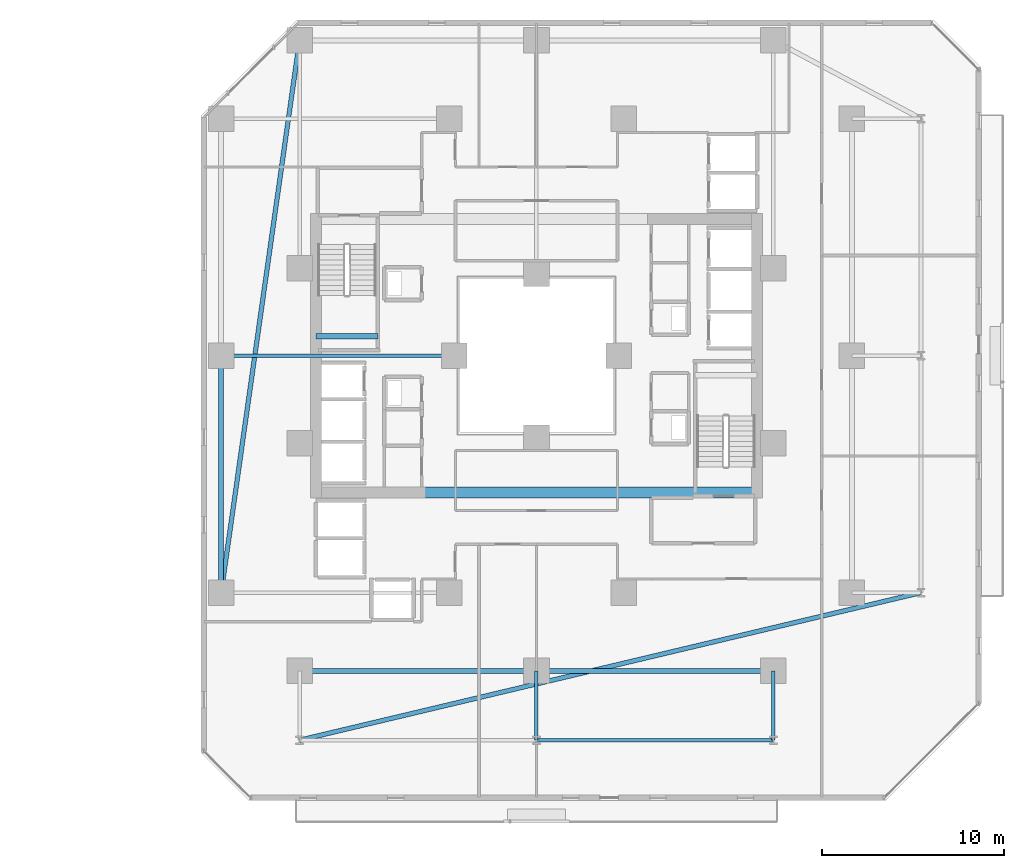
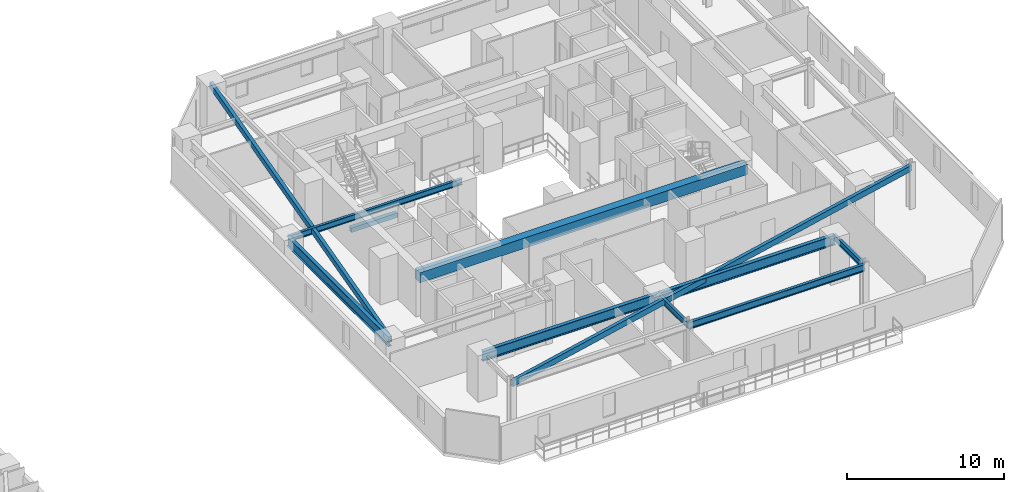
# One storey, part 11 of 33: 11 beams.
"""IFC4 building model written with IfcOpenShell, lengths in metres."""

from ifc_helpers import new_model, si_unit, direction, frame, origin, origin_2d, place, context, subcontext, project, spatial, rectangle, hollow_rectangle, i_section, extrude, material, material_profile, profile_set, type_object, element, save


model = new_model("IFC4")

# Units and contexts
model_context = context("Model", 3, precision=1e-05, world=origin(), true_north=direction((0.0, 1.0)))
body_context = subcontext(model_context, "Body", "Model", "MODEL_VIEW")
ifc_project = project(units=[si_unit("LENGTHUNIT", "METRE"), si_unit("AREAUNIT", "SQUARE_METRE"), si_unit("VOLUMEUNIT", "CUBIC_METRE"), si_unit("PLANEANGLEUNIT", "RADIAN"), si_unit("MASSUNIT", "GRAM", prefix="KILO")], contexts=[model_context])

# Site, building, storey
site_placement = place(None, origin())
site = spatial("IfcSite", under=ifc_project, at=site_placement, CompositionType="ELEMENT")
building_placement = place(site_placement, origin())
building = spatial("IfcBuilding", under=site, at=building_placement, Name="Thornwick Lancets Civic Towers", CompositionType="ELEMENT")
storey_placement = place(building_placement, frame((0.0, 0.0, 38.699951171875)))
storey = spatial("IfcBuildingStorey", under=building, at=storey_placement, Name="L09", CompositionType="ELEMENT", Elevation=38.699951171875)

# Beams
ifc_material_1 = material(Name="Concrete C60/75", Category="concrete")
ifc_material_profile_1 = material_profile(ifc_material_1, rectangle(XDim=0.60009765625, YDim=0.800048828125, at=origin_2d()), Name="RC 600x800")
ifc_profile_set_1 = profile_set([ifc_material_profile_1], Name="Concrete C60/75")
beam_type_1 = type_object("IfcBeamType", Name="BM_COUP_RC800", PredefinedType="BEAM", material=ifc_profile_set_1)
beam_1_placement = place(storey_placement, frame((76.39990234375, 19.5, 2.9599609375), z_axis=(1.0, 0.0, 0.0), x_axis=(0.0, 1.0, 0.0)))
element("IfcBeam", 1, at=beam_1_placement, inside=storey, type_object=beam_type_1, Name="CB-L09-B2", PredefinedType="BEAM", context=body_context, shape_type="SweptSolid", body=[
    extrude(rectangle(XDim=0.60009765625, YDim=0.800048828125, at=origin_2d()), origin(), (0.0, 0.0, 1.0), 24.2001953125),
])
ifc_material_2 = material(Name="Steel S355JR", Category="steel")
ifc_material_profile_2 = material_profile(ifc_material_2, i_section(OverallWidth=0.2119140625, OverallDepth=0.54443359375, WebThickness=0.0126953125, FlangeThickness=0.021240234375, FilletRadius=0.0126953125, at=origin_2d()), Name="UKB 533x210x122")
ifc_profile_set_2 = profile_set([ifc_material_profile_2], Name="Steel S355JR")
beam_type_2 = type_object("IfcBeamType", Name="BM_EDGE_533_122", PredefinedType="SPANDREL", material=ifc_profile_set_2)
beam_2_placement = place(storey_placement, frame((101.5, 5.89990234375, 3.087890625), z_axis=(-1.0, 0.0, 0.0), x_axis=(0.0, -1.0, 0.0)))
element("IfcBeam", 2, at=beam_2_placement, inside=storey, type_object=beam_type_2, Name="BM-EDGE-L09-B-S3-1", PredefinedType="SPANDREL", context=body_context, shape_type="SweptSolid", body=[
    extrude(i_section(OverallWidth=0.2119140625, OverallDepth=0.54443359375, WebThickness=0.0126953125, FlangeThickness=0.021240234375, FilletRadius=0.0126953125, at=origin_2d()), origin(), (0.0, 0.0, 1.0), 13.0),
])
ifc_material_profile_3 = material_profile(ifc_material_2, i_section(OverallWidth=0.26806640625, OverallDepth=0.769775390625, WebThickness=0.015625, FlangeThickness=0.025390625, FilletRadius=0.0166015625, at=origin_2d()), Name="UKB 762x267x197")
ifc_profile_set_3 = profile_set([ifc_material_profile_3], Name="Steel S355JR")
beam_type_3 = type_object("IfcBeamType", Name="BM_GIRD_762_197", PredefinedType="BEAM", material=ifc_profile_set_3)
for number, where, z_axis, x_axis, name in (
    (3, (71.199951171875, 14.0, 2.97509765625), (0.0, 1.0, 0.0), (-1.0, 0.0, 0.0), "BM-SPINE-L09-B-6-7"),
    (4, (101.5, 9.699951171875, 2.97509765625), (-1.0, 0.0, 0.0), (0.0, -1.0, 0.0), "BM-SPINE-L09-B-9-10"),
):
    element("IfcBeam", number, at=place(storey_placement, frame(where, z_axis=z_axis, x_axis=x_axis)), inside=storey, type_object=beam_type_3, Name=name, PredefinedType="BEAM", context=body_context, shape_type="SweptSolid", body=[
        extrude(i_section(OverallWidth=0.26806640625, OverallDepth=0.769775390625, WebThickness=0.015625, FlangeThickness=0.025390625, FilletRadius=0.0166015625, at=origin_2d()), origin(), (0.0, 0.0, 1.0), 13.0),
    ])
beam_3_placement = place(storey_placement, frame((88.419921875, 9.699951171875, 2.97509765625), z_axis=(-1.0, 0.0, 0.0), x_axis=(0.0, -1.0, 0.0)))
element("IfcBeam", 5, at=beam_3_placement, inside=storey, type_object=beam_type_3, Name="BM-SPINE-L09-B-10-11", PredefinedType="BEAM", context=body_context, shape_type="SweptSolid", body=[
    extrude(i_section(OverallWidth=0.26806640625, OverallDepth=0.769775390625, WebThickness=0.015625, FlangeThickness=0.025390625, FilletRadius=0.0166015625, at=origin_2d()), origin(), (0.0, 0.0, 1.0), 12.919921875),
])
ifc_material_profile_4 = material_profile(ifc_material_2, i_section(OverallWidth=0.19189453125, OverallDepth=0.46337890625, WebThickness=0.010498046875, FlangeThickness=0.017578125, FilletRadius=0.01025390625, at=origin_2d()), Name="UKB 457x191x89")
ifc_profile_set_4 = profile_set([ifc_material_profile_4], Name="Steel S355JR")
beam_type_4 = type_object("IfcBeamType", Name="BM_JOIST_457_89", PredefinedType="JOIST", material=ifc_profile_set_4)
beam_4_placement = place(storey_placement, frame((84.0, 27.0, 3.12841796875), z_axis=(-1.0, 0.0, 0.0), x_axis=(0.0, -1.0, 0.0)))
element("IfcBeam", 6, at=beam_4_placement, inside=storey, type_object=beam_type_4, Name="BM-RADIN-L09-B08", PredefinedType="JOIST", context=body_context, shape_type="SweptSolid", body=[
    extrude(i_section(OverallWidth=0.19189453125, OverallDepth=0.46337890625, WebThickness=0.010498046875, FlangeThickness=0.017578125, FilletRadius=0.01025390625, at=origin_2d()), origin(), (0.0, 0.0, 1.0), 12.800048828125),
])
for number, where, z_axis, x_axis, name in (
    (7, (101.5, 9.699951171875, 3.12841796875), (0.0, -1.0, 0.0), (1.0, 0.0, 0.0), "BM-RAD-L09-B10"),
    (8, (88.5, 9.699951171875, 3.12841796875), (0.0, -1.0, 0.0), (1.0, 0.0, 0.0), "BM-RAD-L09-B11"),
):
    element("IfcBeam", number, at=place(storey_placement, frame(where, z_axis=z_axis, x_axis=x_axis)), inside=storey, type_object=beam_type_4, Name=name, PredefinedType="JOIST", context=body_context, shape_type="SweptSolid", body=[
        extrude(i_section(OverallWidth=0.19189453125, OverallDepth=0.46337890625, WebThickness=0.010498046875, FlangeThickness=0.017578125, FilletRadius=0.01025390625, at=origin_2d()), origin(), (0.0, 0.0, 1.0), 3.800048828125),
    ])
ifc_material_profile_5 = material_profile(ifc_material_2, hollow_rectangle(XDim=0.25, YDim=0.449951171875, WallThickness=0.01611328125, at=origin_2d()), Name="RHS 450x250x16")
ifc_profile_set_5 = profile_set([ifc_material_profile_5], Name="Steel S355JR")
beam_type_5 = type_object("IfcBeamType", Name="BM_RING_RHS450", PredefinedType="BEAM", material=ifc_profile_set_5)
beam_5_placement = place(storey_placement, frame((75.5, 44.300048828125, 3.135009765625), z_axis=(-0.140507712682, -0.990079584012, 0.0), x_axis=(0.990079584012, -0.140507712682, 0.0)))
element("IfcBeam", 9, at=beam_5_placement, inside=storey, type_object=beam_type_5, Name="BM-CHAMF-L09-B-C1", PredefinedType="BEAM", context=body_context, shape_type="SweptSolid", body=[
    extrude(hollow_rectangle(XDim=0.25, YDim=0.449951171875, WallThickness=0.01611328125, at=origin_2d()), origin(), (0.0, 0.0, 1.0), 30.603759765625),
])
beam_6_placement = place(storey_placement, frame((75.5, 5.89990234375, 3.135009765625), z_axis=(0.972928054394, 0.231108201875, 0.0), x_axis=(-0.231108201875, 0.972928054394, 0.0)))
element("IfcBeam", 10, at=beam_6_placement, inside=storey, type_object=beam_type_5, Name="BM-CHAMF-L09-B-C3", PredefinedType="BEAM", context=body_context, shape_type="SweptSolid", body=[
    extrude(hollow_rectangle(XDim=0.25, YDim=0.449951171875, WallThickness=0.01611328125, at=origin_2d()), origin(), (0.0, 0.0, 1.0), 35.048828125),
])
ifc_material_3 = material(Name="Concrete C40/50", Category="concrete")
ifc_material_profile_6 = material_profile(ifc_material_3, rectangle(XDim=0.300048828125, YDim=0.35009765625, at=origin_2d()), Name="RC 300x350")
ifc_profile_set_6 = profile_set([ifc_material_profile_6], Name="Concrete C40/50")
beam_type_6 = type_object("IfcBeamType", Name="BM_STAIR_LDG", PredefinedType="BEAM", material=ifc_profile_set_6)
beam_7_placement = place(storey_placement, frame((76.39990234375, 28.06494140625, 1.3779296875), z_axis=(1.0, 0.0, 0.0), x_axis=(0.0, 1.0, 0.0)))
element("IfcBeam", 11, at=beam_7_placement, inside=storey, type_object=beam_type_6, Name="L09 ST-B2 Landing Support Beam 1", PredefinedType="BEAM", context=body_context, shape_type="SweptSolid", body=[
    extrude(rectangle(XDim=0.300048828125, YDim=0.35009765625, at=origin_2d()), origin(), (0.0, 0.0, 1.0), 3.400146484375),
])

save(model, "model.ifc")
